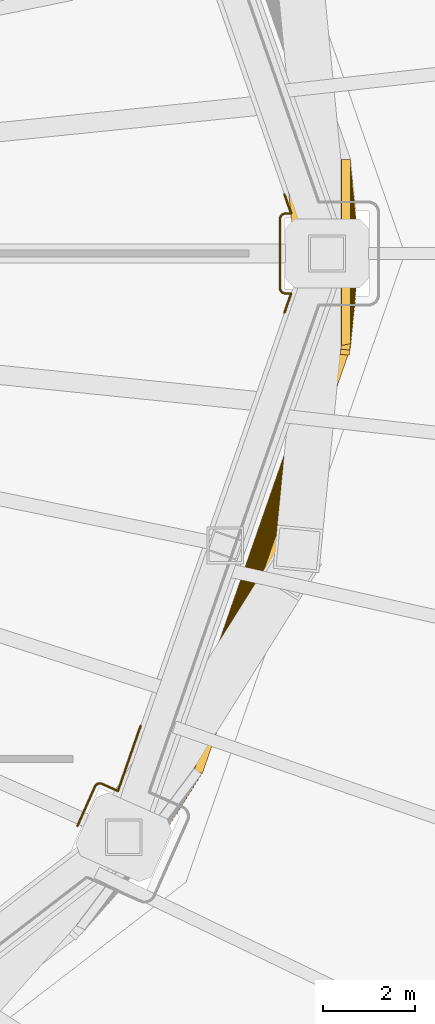
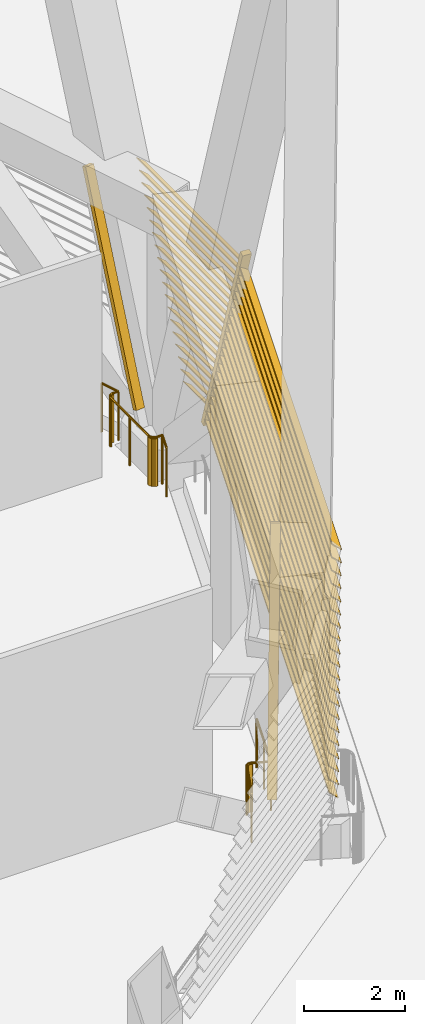
# One storey, part 24 of 27: 2 railings, 2 shading devices.
"""IFC4 building model written with IfcOpenShell, lengths in metres."""

from ifc_helpers import new_model, si_unit, direction, frame, origin, origin_2d, place, context, subcontext, project, spatial, rectangle, circle, extrude, material, type_object, element, save


model = new_model("IFC4")

# Units and contexts
model_context = context("Model", 3, precision=1e-05, world=origin(), true_north=direction((0.0, 1.0)))
body_context = subcontext(model_context, "Body", "Model", "MODEL_VIEW")
ifc_project = project(units=[si_unit("LENGTHUNIT", "METRE"), si_unit("AREAUNIT", "SQUARE_METRE"), si_unit("VOLUMEUNIT", "CUBIC_METRE"), si_unit("PLANEANGLEUNIT", "RADIAN"), si_unit("MASSUNIT", "GRAM", prefix="KILO")], contexts=[model_context])

# Site, building, storey
site_placement = place(None, origin())
site = spatial("IfcSite", under=ifc_project, at=site_placement, CompositionType="ELEMENT")
building_placement = place(site_placement, origin())
building = spatial("IfcBuilding", under=site, at=building_placement, Name="Sahrelin Media Tower", CompositionType="ELEMENT")
storey_placement = place(building_placement, frame((0.0, 0.0, 44.0)))
storey = spatial("IfcBuildingStorey", under=building, at=storey_placement, Name="L06", CompositionType="ELEMENT", Elevation=44.0)

# Railings
ifc_material_1 = material(Name="Stainless steel 316", Category="steel")
railing_type = type_object("IfcRailingType", Name="Maintenance platform guard", PredefinedType="GUARDRAIL", material=ifc_material_1)
railing_1_placement = place(storey_placement, frame((32.07568359375, 1.2861328125, 0.0)))
element("IfcRailing", 1, at=railing_1_placement, inside=storey, type_object=railing_type, Name="Plant level edge guard 1", PredefinedType="GUARDRAIL", context=body_context, shape_type="SweptSolid", body=[
    extrude(circle(Radius=0.02392578125, at=origin_2d()), frame((0.0, 0.0, 1.17578125), z_axis=(0.329165343973, -0.944272299883, 0.0), x_axis=(0.944272299883, 0.329165343973, 0.0)), (0.0, 0.0, 1.0), 0.440673828125),
    extrude(circle(Radius=0.02392578125, at=origin_2d()), frame((0.14501953125, -0.416015625, 1.17578125), z_axis=(-1.0, 0.0, 0.0), x_axis=(0.0, -1.0, 0.0)), (0.0, 0.0, 1.0), 0.123291015625),
    extrude(circle(Radius=0.02392578125, at=origin_2d()), frame((0.021728515625, -0.416015625, 1.17578125), z_axis=(-0.997199309888, -0.074789948242, 0.0), x_axis=(0.074789948242, -0.997199309888, 0.0)), (0.0, 0.0, 1.0), 0.009765625),
    extrude(circle(Radius=0.02392578125, at=origin_2d()), frame((0.011962890625, -0.416748046875, 1.17578125), z_axis=(-0.990341746674, -0.138647844534, 0.0), x_axis=(0.138647844534, -0.990341746674, 0.0)), (0.0, 0.0, 1.0), 0.01220703125),
    extrude(circle(Radius=0.02392578125, at=origin_2d()), frame((-0.000244140625, -0.41845703125, 1.17578125), z_axis=(-0.965363393028, -0.260909025143, 0.0), x_axis=(0.260909025143, -0.965363393028, 0.0)), (0.0, 0.0, 1.0), 0.00927734375),
    extrude(circle(Radius=0.02392578125, at=origin_2d()), frame((-0.00927734375, -0.4208984375, 1.17578125), z_axis=(-0.952215316532, -0.305427554359, 0.0), x_axis=(0.305427554359, -0.952215316532, 0.0)), (0.0, 0.0, 1.0), 0.013671875),
    extrude(circle(Radius=0.02392578125, at=origin_2d()), frame((-0.022216796875, -0.425048828125, 1.17578125), z_axis=(-0.886914084167, -0.461934418837, 0.0), x_axis=(0.461934418837, -0.886914084167, 0.0)), (0.0, 0.0, 1.0), 0.01318359375),
    extrude(circle(Radius=0.02392578125, at=origin_2d()), frame((-0.033935546875, -0.43115234375, 1.17578125), z_axis=(-0.860291533634, -0.509802390302, 0.0), x_axis=(0.509802390302, -0.860291533634, 0.0)), (0.0, 0.0, 1.0), 0.007568359375),
    extrude(circle(Radius=0.02392578125, at=origin_2d()), frame((-0.04052734375, -0.43505859375, 1.17578125), z_axis=(-0.821588113591, -0.570081548206, 0.0), x_axis=(0.570081548206, -0.821588113591, 0.0)), (0.0, 0.0, 1.0), 0.0146484375),
    extrude(circle(Radius=0.02392578125, at=origin_2d()), frame((-0.052490234375, -0.443359375, 1.17578125), z_axis=(-0.707106781187, -0.707106781187, 0.0), x_axis=(0.707106781187, -0.707106781187, 0.0)), (0.0, 0.0, 1.0), 0.011474609375),
    extrude(circle(Radius=0.02392578125, at=origin_2d()), frame((-0.060546875, -0.451416015625, 1.17578125), z_axis=(-0.707106781187, -0.707106781187, 0.0), x_axis=(0.707106781187, -0.707106781187, 0.0)), (0.0, 0.0, 1.0), 0.010986328125),
    extrude(circle(Radius=0.02392578125, at=origin_2d()), frame((-0.068359375, -0.459228515625, 1.17578125), z_axis=(-0.562310021407, -0.82692650207, 0.0), x_axis=(0.82692650207, -0.562310021407, 0.0)), (0.0, 0.0, 1.0), 0.0146484375),
    extrude(circle(Radius=0.02392578125, at=origin_2d()), frame((-0.07666015625, -0.471435546875, 1.17578125), z_axis=(-0.509802390302, -0.860291533634, 0.0), x_axis=(0.860291533634, -0.509802390302, 0.0)), (0.0, 0.0, 1.0), 0.007568359375),
    extrude(circle(Radius=0.02392578125, at=origin_2d()), frame((-0.08056640625, -0.47802734375, 1.17578125), z_axis=(-0.461934418837, -0.886914084167, 0.0), x_axis=(0.886914084167, -0.461934418837, 0.0)), (0.0, 0.0, 1.0), 0.01318359375),
    extrude(circle(Radius=0.02392578125, at=origin_2d()), frame((-0.086669921875, -0.48974609375, 1.17578125), z_axis=(-0.310738856307, -0.950495325176, 0.0), x_axis=(0.950495325176, -0.310738856307, 0.0)), (0.0, 0.0, 1.0), 0.013427734375),
    extrude(circle(Radius=0.02392578125, at=origin_2d()), frame((-0.0908203125, -0.50244140625, 1.17578125), z_axis=(-0.25449329928, -0.967074537263, 0.0), x_axis=(0.967074537263, -0.25449329928, 0.0)), (0.0, 0.0, 1.0), 0.009521484375),
    extrude(circle(Radius=0.02392578125, at=origin_2d()), frame((-0.09326171875, -0.51171875, 1.17578125), z_axis=(-0.157990501107, -0.987440631917, 0.0), x_axis=(0.987440631917, -0.157990501107, 0.0)), (0.0, 0.0, 1.0), 0.012451171875),
    extrude(circle(Radius=0.02392578125, at=origin_2d()), frame((-0.09521484375, -0.52392578125, 1.17578125), z_axis=(-0.049937616944, -0.998752338878, 0.0), x_axis=(0.998752338878, -0.049937616944, 0.0)), (0.0, 0.0, 1.0), 0.009765625),
    extrude(circle(Radius=0.02392578125, at=origin_2d()), frame((-0.095703125, -0.53369140625, 1.17578125), z_axis=(0.0, -1.0, 0.0), x_axis=(1.0, 0.0, 0.0)), (0.0, 0.0, 1.0), 1.5048828125),
    extrude(circle(Radius=0.02392578125, at=origin_2d()), frame((-0.095703125, -2.03857421875, 1.17578125), z_axis=(0.049937616944, -0.998752338878, 0.0), x_axis=(0.998752338878, 0.049937616944, 0.0)), (0.0, 0.0, 1.0), 0.009765625),
    extrude(circle(Radius=0.02392578125, at=origin_2d()), frame((-0.09521484375, -2.04833984375, 1.17578125), z_axis=(0.157990501107, -0.987440631917, 0.0), x_axis=(0.987440631917, 0.157990501107, 0.0)), (0.0, 0.0, 1.0), 0.012451171875),
    extrude(circle(Radius=0.02392578125, at=origin_2d()), frame((-0.09326171875, -2.060546875, 1.17578125), z_axis=(0.25449329928, -0.967074537263, 0.0), x_axis=(0.967074537263, 0.25449329928, 0.0)), (0.0, 0.0, 1.0), 0.009521484375),
    extrude(circle(Radius=0.02392578125, at=origin_2d()), frame((-0.0908203125, -2.06982421875, 1.17578125), z_axis=(0.310738856307, -0.950495325176, 0.0), x_axis=(0.950495325176, 0.310738856307, 0.0)), (0.0, 0.0, 1.0), 0.013427734375),
    extrude(circle(Radius=0.02392578125, at=origin_2d()), frame((-0.086669921875, -2.08251953125, 1.17578125), z_axis=(0.461934418837, -0.886914084167, 0.0), x_axis=(0.886914084167, 0.461934418837, 0.0)), (0.0, 0.0, 1.0), 0.01318359375),
    extrude(circle(Radius=0.02392578125, at=origin_2d()), frame((-0.08056640625, -2.09423828125, 1.17578125), z_axis=(0.509802390302, -0.860291533634, 0.0), x_axis=(0.860291533634, 0.509802390302, 0.0)), (0.0, 0.0, 1.0), 0.007568359375),
    extrude(circle(Radius=0.02392578125, at=origin_2d()), frame((-0.07666015625, -2.100830078125, 1.17578125), z_axis=(0.562310021407, -0.82692650207, 0.0), x_axis=(0.82692650207, 0.562310021407, 0.0)), (0.0, 0.0, 1.0), 0.0146484375),
    extrude(circle(Radius=0.02392578125, at=origin_2d()), frame((-0.068359375, -2.113037109375, 1.17578125), z_axis=(0.707106781187, -0.707106781187, 0.0), x_axis=(0.707106781187, 0.707106781187, 0.0)), (0.0, 0.0, 1.0), 0.010986328125),
    extrude(circle(Radius=0.02392578125, at=origin_2d()), frame((-0.060546875, -2.120849609375, 1.17578125), z_axis=(0.707106781187, -0.707106781187, 0.0), x_axis=(0.707106781187, 0.707106781187, 0.0)), (0.0, 0.0, 1.0), 0.011474609375),
    extrude(circle(Radius=0.02392578125, at=origin_2d()), frame((-0.052490234375, -2.12890625, 1.17578125), z_axis=(0.821588113591, -0.570081548206, 0.0), x_axis=(0.570081548206, 0.821588113591, 0.0)), (0.0, 0.0, 1.0), 0.0146484375),
    extrude(circle(Radius=0.02392578125, at=origin_2d()), frame((-0.04052734375, -2.13720703125, 1.17578125), z_axis=(0.860291533634, -0.509802390302, 0.0), x_axis=(0.509802390302, 0.860291533634, 0.0)), (0.0, 0.0, 1.0), 0.007568359375),
    extrude(circle(Radius=0.02392578125, at=origin_2d()), frame((-0.033935546875, -2.14111328125, 1.17578125), z_axis=(0.886914084167, -0.461934418837, 0.0), x_axis=(0.461934418837, 0.886914084167, 0.0)), (0.0, 0.0, 1.0), 0.01318359375),
    extrude(circle(Radius=0.02392578125, at=origin_2d()), frame((-0.022216796875, -2.147216796875, 1.17578125), z_axis=(0.952215316532, -0.305427554359, 0.0), x_axis=(0.305427554359, 0.952215316532, 0.0)), (0.0, 0.0, 1.0), 0.013671875),
    extrude(circle(Radius=0.02392578125, at=origin_2d()), frame((-0.00927734375, -2.1513671875, 1.17578125), z_axis=(0.965363393028, -0.260909025143, 0.0), x_axis=(0.260909025143, 0.965363393028, 0.0)), (0.0, 0.0, 1.0), 0.00927734375),
    extrude(circle(Radius=0.02392578125, at=origin_2d()), frame((-0.000244140625, -2.15380859375, 1.17578125), z_axis=(0.990341746674, -0.138647844534, 0.0), x_axis=(0.138647844534, 0.990341746674, 0.0)), (0.0, 0.0, 1.0), 0.01220703125),
    extrude(circle(Radius=0.02392578125, at=origin_2d()), frame((0.011962890625, -2.155517578125, 1.17578125), z_axis=(0.997199309888, -0.074789948242, 0.0), x_axis=(0.074789948242, 0.997199309888, 0.0)), (0.0, 0.0, 1.0), 0.009765625),
    extrude(circle(Radius=0.02392578125, at=origin_2d()), frame((0.021728515625, -2.15625, 1.17578125), z_axis=(1.0, 0.0, 0.0), x_axis=(0.0, 1.0, 0.0)), (0.0, 0.0, 1.0), 0.123291015625),
    extrude(circle(Radius=0.02392578125, at=origin_2d()), frame((0.14501953125, -2.15625, 1.17578125), z_axis=(-0.329165343973, -0.944272299883, 0.0), x_axis=(0.944272299883, -0.329165343973, 0.0)), (0.0, 0.0, 1.0), 0.440673828125),
    extrude(circle(Radius=0.02099609375, at=origin_2d()), origin(), (0.0, 0.0, 1.0), 1.15185546875),
    extrude(circle(Radius=0.02099609375, at=origin_2d()), frame((0.14501953125, -0.416015625, 0.0)), (0.0, 0.0, 1.0), 1.15185546875),
    extrude(circle(Radius=0.02099609375, at=origin_2d()), frame((0.021728515625, -0.416015625, 0.0)), (0.0, 0.0, 1.0), 1.15185546875),
    extrude(circle(Radius=0.02099609375, at=origin_2d()), frame((0.011962890625, -0.416748046875, 0.0)), (0.0, 0.0, 1.0), 1.15185546875),
    extrude(circle(Radius=0.02099609375, at=origin_2d()), frame((-0.000244140625, -0.41845703125, 0.0)), (0.0, 0.0, 1.0), 1.15185546875),
    extrude(circle(Radius=0.02099609375, at=origin_2d()), frame((-0.00927734375, -0.4208984375, 0.0)), (0.0, 0.0, 1.0), 1.15185546875),
    extrude(circle(Radius=0.02099609375, at=origin_2d()), frame((-0.022216796875, -0.425048828125, 0.0)), (0.0, 0.0, 1.0), 1.15185546875),
    extrude(circle(Radius=0.02099609375, at=origin_2d()), frame((-0.033935546875, -0.43115234375, 0.0)), (0.0, 0.0, 1.0), 1.15185546875),
    extrude(circle(Radius=0.02099609375, at=origin_2d()), frame((-0.04052734375, -0.43505859375, 0.0)), (0.0, 0.0, 1.0), 1.15185546875),
    extrude(circle(Radius=0.02099609375, at=origin_2d()), frame((-0.052490234375, -0.443359375, 0.0)), (0.0, 0.0, 1.0), 1.15185546875),
    extrude(circle(Radius=0.02099609375, at=origin_2d()), frame((-0.060546875, -0.451416015625, 0.0)), (0.0, 0.0, 1.0), 1.15185546875),
    extrude(circle(Radius=0.02099609375, at=origin_2d()), frame((-0.068359375, -0.459228515625, 0.0)), (0.0, 0.0, 1.0), 1.15185546875),
    extrude(circle(Radius=0.02099609375, at=origin_2d()), frame((-0.07666015625, -0.471435546875, 0.0)), (0.0, 0.0, 1.0), 1.15185546875),
    extrude(circle(Radius=0.02099609375, at=origin_2d()), frame((-0.08056640625, -0.47802734375, 0.0)), (0.0, 0.0, 1.0), 1.15185546875),
    extrude(circle(Radius=0.02099609375, at=origin_2d()), frame((-0.086669921875, -0.48974609375, 0.0)), (0.0, 0.0, 1.0), 1.15185546875),
    extrude(circle(Radius=0.02099609375, at=origin_2d()), frame((-0.0908203125, -0.50244140625, 0.0)), (0.0, 0.0, 1.0), 1.15185546875),
    extrude(circle(Radius=0.02099609375, at=origin_2d()), frame((-0.09326171875, -0.51171875, 0.0)), (0.0, 0.0, 1.0), 1.15185546875),
    extrude(circle(Radius=0.02099609375, at=origin_2d()), frame((-0.09521484375, -0.52392578125, 0.0)), (0.0, 0.0, 1.0), 1.15185546875),
    extrude(circle(Radius=0.02099609375, at=origin_2d()), frame((-0.095703125, -0.53369140625, 0.0)), (0.0, 0.0, 1.0), 1.15185546875),
    extrude(circle(Radius=0.02099609375, at=origin_2d()), frame((-0.095703125, -1.2861328125, 0.0)), (0.0, 0.0, 1.0), 1.15185546875),
    extrude(circle(Radius=0.02099609375, at=origin_2d()), frame((-0.095703125, -2.03857421875, 0.0)), (0.0, 0.0, 1.0), 1.15185546875),
    extrude(circle(Radius=0.02099609375, at=origin_2d()), frame((-0.09521484375, -2.04833984375, 0.0)), (0.0, 0.0, 1.0), 1.15185546875),
    extrude(circle(Radius=0.02099609375, at=origin_2d()), frame((-0.09326171875, -2.060546875, 0.0)), (0.0, 0.0, 1.0), 1.15185546875),
    extrude(circle(Radius=0.02099609375, at=origin_2d()), frame((-0.0908203125, -2.06982421875, 0.0)), (0.0, 0.0, 1.0), 1.15185546875),
    extrude(circle(Radius=0.02099609375, at=origin_2d()), frame((-0.086669921875, -2.08251953125, 0.0)), (0.0, 0.0, 1.0), 1.15185546875),
    extrude(circle(Radius=0.02099609375, at=origin_2d()), frame((-0.08056640625, -2.09423828125, 0.0)), (0.0, 0.0, 1.0), 1.15185546875),
    extrude(circle(Radius=0.02099609375, at=origin_2d()), frame((-0.07666015625, -2.100830078125, 0.0)), (0.0, 0.0, 1.0), 1.15185546875),
    extrude(circle(Radius=0.02099609375, at=origin_2d()), frame((-0.068359375, -2.113037109375, 0.0)), (0.0, 0.0, 1.0), 1.15185546875),
    extrude(circle(Radius=0.02099609375, at=origin_2d()), frame((-0.060546875, -2.120849609375, 0.0)), (0.0, 0.0, 1.0), 1.15185546875),
    extrude(circle(Radius=0.02099609375, at=origin_2d()), frame((-0.052490234375, -2.12890625, 0.0)), (0.0, 0.0, 1.0), 1.15185546875),
    extrude(circle(Radius=0.02099609375, at=origin_2d()), frame((-0.04052734375, -2.13720703125, 0.0)), (0.0, 0.0, 1.0), 1.15185546875),
    extrude(circle(Radius=0.02099609375, at=origin_2d()), frame((-0.033935546875, -2.14111328125, 0.0)), (0.0, 0.0, 1.0), 1.15185546875),
    extrude(circle(Radius=0.02099609375, at=origin_2d()), frame((-0.022216796875, -2.147216796875, 0.0)), (0.0, 0.0, 1.0), 1.15185546875),
    extrude(circle(Radius=0.02099609375, at=origin_2d()), frame((-0.00927734375, -2.1513671875, 0.0)), (0.0, 0.0, 1.0), 1.15185546875),
    extrude(circle(Radius=0.02099609375, at=origin_2d()), frame((-0.000244140625, -2.15380859375, 0.0)), (0.0, 0.0, 1.0), 1.15185546875),
    extrude(circle(Radius=0.02099609375, at=origin_2d()), frame((0.011962890625, -2.155517578125, 0.0)), (0.0, 0.0, 1.0), 1.15185546875),
    extrude(circle(Radius=0.02099609375, at=origin_2d()), frame((0.021728515625, -2.15625, 0.0)), (0.0, 0.0, 1.0), 1.15185546875),
    extrude(circle(Radius=0.02099609375, at=origin_2d()), frame((0.14501953125, -2.15625, 0.0)), (0.0, 0.0, 1.0), 1.15185546875),
    extrude(circle(Radius=0.02099609375, at=origin_2d()), frame((0.0, -2.572265625, 0.0)), (0.0, 0.0, 1.0), 1.15185546875),
])
railing_2_placement = place(storey_placement, frame((28.9462890625, -10.275634765625, 0.0)))
element("IfcRailing", 2, at=railing_2_placement, inside=storey, type_object=railing_type, Name="Plant level edge guard 12", PredefinedType="GUARDRAIL", context=body_context, shape_type="SweptSolid", body=[
    extrude(circle(Radius=0.02392578125, at=origin_2d()), frame((0.0, 0.0, 1.17578125), z_axis=(-0.328798392756, -0.944400136024, 0.0), x_axis=(0.944400136024, -0.328798392756, 0.0)), (0.0, 0.0, 1.0), 1.5),
    extrude(circle(Radius=0.02392578125, at=origin_2d()), frame((-0.4931640625, -1.41650390625, 1.17578125), z_axis=(-0.913891374695, 0.405958809805, 0.0), x_axis=(-0.405958809805, -0.913891374695, 0.0)), (0.0, 0.0, 1.0), 0.378173828125),
    extrude(circle(Radius=0.02392578125, at=origin_2d()), frame((-0.8388671875, -1.262939453125, 1.17578125), z_axis=(-0.934997526318, 0.354654234121, 0.0), x_axis=(-0.354654234121, -0.934997526318, 0.0)), (0.0, 0.0, 1.0), 0.007568359375),
    extrude(circle(Radius=0.02392578125, at=origin_2d()), frame((-0.845947265625, -1.26025390625, 1.17578125), z_axis=(-0.950605456491, 0.310401781711, 0.0), x_axis=(-0.310401781711, -0.950605456491, 0.0)), (0.0, 0.0, 1.0), 0.0126953125),
    extrude(circle(Radius=0.02392578125, at=origin_2d()), frame((-0.85791015625, -1.25634765625, 1.17578125), z_axis=(-0.987440631917, 0.157990501107, 0.0), x_axis=(-0.157990501107, -0.987440631917, 0.0)), (0.0, 0.0, 1.0), 0.012451171875),
    extrude(circle(Radius=0.02392578125, at=origin_2d()), frame((-0.8701171875, -1.25439453125, 1.17578125), z_axis=(-0.99522852512, 0.097571424031, 0.0), x_axis=(-0.097571424031, -0.99522852512, 0.0)), (0.0, 0.0, 1.0), 0.012451171875),
    extrude(circle(Radius=0.02392578125, at=origin_2d()), frame((-0.882568359375, -1.253173828125, 1.17578125), z_axis=(-0.998052578483, -0.062378286155, 0.0), x_axis=(0.062378286155, -0.998052578483, 0.0)), (0.0, 0.0, 1.0), 0.01171875),
    extrude(circle(Radius=0.02392578125, at=origin_2d()), frame((-0.894287109375, -1.25390625, 1.17578125), z_axis=(-0.99503719021, -0.099503719021, 0.0), x_axis=(0.099503719021, -0.99503719021, 0.0)), (0.0, 0.0, 1.0), 0.01220703125),
    extrude(circle(Radius=0.02392578125, at=origin_2d()), frame((-0.906494140625, -1.255126953125, 1.17578125), z_axis=(-0.971297311632, -0.237868729379, 0.0), x_axis=(0.237868729379, -0.971297311632, 0.0)), (0.0, 0.0, 1.0), 0.01220703125),
    extrude(circle(Radius=0.02392578125, at=origin_2d()), frame((-0.91845703125, -1.258056640625, 1.17578125), z_axis=(-0.948683298051, -0.316227766017, 0.0), x_axis=(0.316227766017, -0.948683298051, 0.0)), (0.0, 0.0, 1.0), 0.010009765625),
    extrude(circle(Radius=0.02392578125, at=origin_2d()), frame((-0.927978515625, -1.26123046875, 1.17578125), z_axis=(-0.919145030018, -0.393919298579, 0.0), x_axis=(0.393919298579, -0.919145030018, 0.0)), (0.0, 0.0, 1.0), 0.01123046875),
    extrude(circle(Radius=0.02392578125, at=origin_2d()), frame((-0.938232421875, -1.265625, 1.17578125), z_axis=(-0.875034042418, -0.484061385167, 0.0), x_axis=(0.484061385167, -0.875034042418, 0.0)), (0.0, 0.0, 1.0), 0.01318359375),
    extrude(circle(Radius=0.02392578125, at=origin_2d()), frame((-0.94970703125, -1.27197265625, 1.17578125), z_axis=(-0.815180408266, -0.579207132189, 0.0), x_axis=(0.579207132189, -0.815180408266, 0.0)), (0.0, 0.0, 1.0), 0.011474609375),
    extrude(circle(Radius=0.02392578125, at=origin_2d()), frame((-0.958984375, -1.278564453125, 1.17578125), z_axis=(-0.77137327854, -0.636382954796, 0.0), x_axis=(0.636382954796, -0.77137327854, 0.0)), (0.0, 0.0, 1.0), 0.0126953125),
    extrude(circle(Radius=0.02392578125, at=origin_2d()), frame((-0.96875, -1.28662109375, 1.17578125), z_axis=(-0.658504607869, -0.752576694707, 0.0), x_axis=(0.752576694707, -0.658504607869, 0.0)), (0.0, 0.0, 1.0), 0.012939453125),
    extrude(circle(Radius=0.02392578125, at=origin_2d()), frame((-0.977294921875, -1.29638671875, 1.17578125), z_axis=(-0.621394711002, -0.78349767909, 0.0), x_axis=(0.78349767909, -0.621394711002, 0.0)), (0.0, 0.0, 1.0), 0.009033203125),
    extrude(circle(Radius=0.02392578125, at=origin_2d()), frame((-0.98291015625, -1.303466796875, 1.17578125), z_axis=(-0.53966611472, -0.841879138964, 0.0), x_axis=(0.841879138964, -0.53966611472, 0.0)), (0.0, 0.0, 1.0), 0.01123046875),
    extrude(circle(Radius=0.02392578125, at=origin_2d()), frame((-0.989013671875, -1.31298828125, 1.17578125), z_axis=(-0.466758619558, -0.884384752847, 0.0), x_axis=(0.884384752847, -0.466758619558, 0.0)), (0.0, 0.0, 1.0), 0.010009765625),
    extrude(circle(Radius=0.02392578125, at=origin_2d()), frame((-0.99365234375, -1.32177734375, 1.17578125), z_axis=(-0.406283261409, -0.91374718139, 0.0), x_axis=(0.91374718139, -0.406283261409, 0.0)), (0.0, 0.0, 1.0), 0.938720703125),
    extrude(circle(Radius=0.02099609375, at=origin_2d()), origin(), (0.0, 0.0, 1.0), 1.15185546875),
    extrude(circle(Radius=0.02099609375, at=origin_2d()), frame((-0.24658203125, -0.708251953125, 0.0)), (0.0, 0.0, 1.0), 1.15185546875),
    extrude(circle(Radius=0.02099609375, at=origin_2d()), frame((-0.4931640625, -1.41650390625, 0.0)), (0.0, 0.0, 1.0), 1.15185546875),
    extrude(circle(Radius=0.02099609375, at=origin_2d()), frame((-0.8388671875, -1.262939453125, 0.0)), (0.0, 0.0, 1.0), 1.15185546875),
    extrude(circle(Radius=0.02099609375, at=origin_2d()), frame((-0.845947265625, -1.26025390625, 0.0)), (0.0, 0.0, 1.0), 1.15185546875),
    extrude(circle(Radius=0.02099609375, at=origin_2d()), frame((-0.85791015625, -1.25634765625, 0.0)), (0.0, 0.0, 1.0), 1.15185546875),
    extrude(circle(Radius=0.02099609375, at=origin_2d()), frame((-0.8701171875, -1.25439453125, 0.0)), (0.0, 0.0, 1.0), 1.15185546875),
    extrude(circle(Radius=0.02099609375, at=origin_2d()), frame((-0.882568359375, -1.253173828125, 0.0)), (0.0, 0.0, 1.0), 1.15185546875),
    extrude(circle(Radius=0.02099609375, at=origin_2d()), frame((-0.894287109375, -1.25390625, 0.0)), (0.0, 0.0, 1.0), 1.15185546875),
    extrude(circle(Radius=0.02099609375, at=origin_2d()), frame((-0.906494140625, -1.255126953125, 0.0)), (0.0, 0.0, 1.0), 1.15185546875),
    extrude(circle(Radius=0.02099609375, at=origin_2d()), frame((-0.91845703125, -1.258056640625, 0.0)), (0.0, 0.0, 1.0), 1.15185546875),
    extrude(circle(Radius=0.02099609375, at=origin_2d()), frame((-0.927978515625, -1.26123046875, 0.0)), (0.0, 0.0, 1.0), 1.15185546875),
    extrude(circle(Radius=0.02099609375, at=origin_2d()), frame((-0.938232421875, -1.265625, 0.0)), (0.0, 0.0, 1.0), 1.15185546875),
    extrude(circle(Radius=0.02099609375, at=origin_2d()), frame((-0.94970703125, -1.27197265625, 0.0)), (0.0, 0.0, 1.0), 1.15185546875),
    extrude(circle(Radius=0.02099609375, at=origin_2d()), frame((-0.958984375, -1.278564453125, 0.0)), (0.0, 0.0, 1.0), 1.15185546875),
    extrude(circle(Radius=0.02099609375, at=origin_2d()), frame((-0.96875, -1.28662109375, 0.0)), (0.0, 0.0, 1.0), 1.15185546875),
    extrude(circle(Radius=0.02099609375, at=origin_2d()), frame((-0.977294921875, -1.29638671875, 0.0)), (0.0, 0.0, 1.0), 1.15185546875),
    extrude(circle(Radius=0.02099609375, at=origin_2d()), frame((-0.98291015625, -1.303466796875, 0.0)), (0.0, 0.0, 1.0), 1.15185546875),
    extrude(circle(Radius=0.02099609375, at=origin_2d()), frame((-0.989013671875, -1.31298828125, 0.0)), (0.0, 0.0, 1.0), 1.15185546875),
    extrude(circle(Radius=0.02099609375, at=origin_2d()), frame((-0.99365234375, -1.32177734375, 0.0)), (0.0, 0.0, 1.0), 1.15185546875),
    extrude(circle(Radius=0.02099609375, at=origin_2d()), frame((-1.375, -2.179443359375, 0.0)), (0.0, 0.0, 1.0), 1.15185546875),
])

# Shading devices
ifc_material_2 = material(Name="Champagne anodised aluminium 6063-T6", Category="aluminium")
shading_device_type = type_object("IfcShadingDeviceType", Name="Sand-rejection louvre band", PredefinedType="USERDEFINED", material=ifc_material_2)
shading_device_1_placement = place(storey_placement, frame((33.0, 0.0, 0.0), z_axis=(0.0, 0.0, 1.0), x_axis=(0.0, -1.0, 0.0)))
element("IfcShadingDevice", 3, at=shading_device_1_placement, inside=storey, type_object=shading_device_type, Name="L06:LOUVRE:L06-00", ObjectType="LOUVRE", PredefinedType="USERDEFINED", context=body_context, shape_type="SweptSolid", body=[
    extrude(rectangle(XDim=0.199951171875, YDim=0.1201171875, at=origin_2d()), frame((0.427001953125, 0.561279296875, 1.050048828125), z_axis=(0.331165646948, -0.032336356103, 0.943018384951), x_axis=(0.097181868891, 0.99526663983, 0.0)), (0.0, 0.0, 1.0), 5.1943359375),
    extrude(rectangle(XDim=0.199951171875, YDim=0.1201171875, at=origin_2d()), frame((-0.310302734375, -0.633056640625, 1.050048828125), z_axis=(-0.331166149897, -0.032289404624, 0.943019817136), x_axis=(0.09704194733, -0.995280292409, 0.0)), (0.0, 0.0, 1.0), 5.1943359375),
    extrude(rectangle(XDim=0.25, YDim=0.02001953125, at=origin_2d()), frame((0.46240234375, 0.560546875, 1.14990234375), z_axis=(-1.0, 0.0, 0.0), x_axis=(0.0, -0.766044443119, 0.642787609687)), (0.0, 0.0, 1.0), 0.9248046875),
    extrude(rectangle(XDim=0.25, YDim=0.02001953125, at=origin_2d()), frame((0.550048828125, 0.552001953125, 1.39990234375), z_axis=(-1.0, 0.0, 0.0), x_axis=(0.0, -0.766044443119, 0.642787609687)), (0.0, 0.0, 1.0), 1.10009765625),
    extrude(rectangle(XDim=0.25, YDim=0.02001953125, at=origin_2d()), frame((0.637939453125, 0.54345703125, 1.64990234375), z_axis=(-1.0, 0.0, 0.0), x_axis=(0.0, -0.766044443119, 0.642787609687)), (0.0, 0.0, 1.0), 1.27587890625),
    extrude(rectangle(XDim=0.25, YDim=0.02001953125, at=origin_2d()), frame((0.7255859375, 0.534912109375, 1.89990234375), z_axis=(-1.0, 0.0, 0.0), x_axis=(0.0, -0.766044443119, 0.642787609687)), (0.0, 0.0, 1.0), 1.451171875),
    extrude(rectangle(XDim=0.25, YDim=0.02001953125, at=origin_2d()), frame((0.8134765625, 0.5263671875, 2.14990234375), z_axis=(-1.0, 0.0, 0.0), x_axis=(0.0, -0.766044443119, 0.642787609687)), (0.0, 0.0, 1.0), 1.626953125),
    extrude(rectangle(XDim=0.25, YDim=0.02001953125, at=origin_2d()), frame((0.9013671875, 0.517822265625, 2.39990234375), z_axis=(-1.0, 0.0, 0.0), x_axis=(0.0, -0.766044443119, 0.642787609687)), (0.0, 0.0, 1.0), 1.802734375),
    extrude(rectangle(XDim=0.25, YDim=0.02001953125, at=origin_2d()), frame((0.989013671875, 0.50927734375, 2.64990234375), z_axis=(-1.0, 0.0, 0.0), x_axis=(0.0, -0.766044443119, 0.642787609687)), (0.0, 0.0, 1.0), 1.97802734375),
    extrude(rectangle(XDim=0.25, YDim=0.02001953125, at=origin_2d()), frame((1.076904296875, 0.500732421875, 2.89990234375), z_axis=(-1.0, 0.0, 0.0), x_axis=(0.0, -0.766044443119, 0.642787609687)), (0.0, 0.0, 1.0), 2.15380859375),
    extrude(rectangle(XDim=0.25, YDim=0.02001953125, at=origin_2d()), frame((1.16455078125, 0.4921875, 3.14990234375), z_axis=(-1.0, 0.0, 0.0), x_axis=(0.0, -0.766044443119, 0.642787609687)), (0.0, 0.0, 1.0), 2.3291015625),
    extrude(rectangle(XDim=0.25, YDim=0.02001953125, at=origin_2d()), frame((1.25244140625, 0.483642578125, 3.39990234375), z_axis=(-1.0, 0.0, 0.0), x_axis=(0.0, -0.766044443119, 0.642787609687)), (0.0, 0.0, 1.0), 2.5048828125),
    extrude(rectangle(XDim=0.25, YDim=0.02001953125, at=origin_2d()), frame((1.340087890625, 0.47509765625, 3.64990234375), z_axis=(-1.0, 0.0, 0.0), x_axis=(0.0, -0.766044443119, 0.642787609687)), (0.0, 0.0, 1.0), 2.68017578125),
    extrude(rectangle(XDim=0.25, YDim=0.02001953125, at=origin_2d()), frame((1.427978515625, 0.46630859375, 3.89990234375), z_axis=(-1.0, 0.0, 0.0), x_axis=(0.0, -0.766044443119, 0.642787609687)), (0.0, 0.0, 1.0), 2.85595703125),
    extrude(rectangle(XDim=0.25, YDim=0.02001953125, at=origin_2d()), frame((1.515869140625, 0.4580078125, 4.14990234375), z_axis=(-1.0, 0.0, 0.0), x_axis=(0.0, -0.766044443119, 0.642787609687)), (0.0, 0.0, 1.0), 3.03173828125),
    extrude(rectangle(XDim=0.25, YDim=0.02001953125, at=origin_2d()), frame((1.603515625, 0.44921875, 4.39990234375), z_axis=(-1.0, 0.0, 0.0), x_axis=(0.0, -0.766044443119, 0.642787609687)), (0.0, 0.0, 1.0), 3.20703125),
    extrude(rectangle(XDim=0.25, YDim=0.02001953125, at=origin_2d()), frame((1.69140625, 0.440673828125, 4.64990234375), z_axis=(-1.0, 0.0, 0.0), x_axis=(0.0, -0.766044443119, 0.642787609687)), (0.0, 0.0, 1.0), 3.3828125),
    extrude(rectangle(XDim=0.25, YDim=0.02001953125, at=origin_2d()), frame((1.779052734375, 0.43212890625, 4.89990234375), z_axis=(-1.0, 0.0, 0.0), x_axis=(0.0, -0.766044443119, 0.642787609687)), (0.0, 0.0, 1.0), 3.55810546875),
    extrude(rectangle(XDim=0.25, YDim=0.02001953125, at=origin_2d()), frame((1.866943359375, 0.423583984375, 5.14990234375), z_axis=(-1.0, 0.0, 0.0), x_axis=(0.0, -0.766044443119, 0.642787609687)), (0.0, 0.0, 1.0), 3.73388671875),
    extrude(rectangle(XDim=0.25, YDim=0.02001953125, at=origin_2d()), frame((1.95458984375, 0.4150390625, 5.39990234375), z_axis=(-1.0, 0.0, 0.0), x_axis=(0.0, -0.766044443119, 0.642787609687)), (0.0, 0.0, 1.0), 3.9091796875),
    extrude(rectangle(XDim=0.25, YDim=0.02001953125, at=origin_2d()), frame((2.04248046875, 0.406494140625, 5.64990234375), z_axis=(-1.0, 0.0, 0.0), x_axis=(0.0, -0.766044443119, 0.642787609687)), (0.0, 0.0, 1.0), 4.0849609375),
])
shading_device_2_placement = place(storey_placement, frame((30.802734375, -6.3115234375, 0.0), z_axis=(0.0, 0.0, 1.0), x_axis=(-0.32879986848, -0.94439962224, 0.0)))
element("IfcShadingDevice", 4, at=shading_device_2_placement, inside=storey, type_object=shading_device_type, Name="L06:LOUVRE:L06-23", ObjectType="LOUVRE", PredefinedType="USERDEFINED", context=body_context, shape_type="SweptSolid", body=[
    extrude(rectangle(XDim=0.199951171875, YDim=0.1201171875, at=origin_2d()), frame((6.39404296875, -0.531005859375, 0.64990234375), z_axis=(-0.341735935027, 0.077806527447, 0.936569642364), x_axis=(-0.22199893607, -0.975046907786, 0.0)), (0.0, 0.0, 1.0), 5.657470703125),
    extrude(rectangle(XDim=0.199951171875, YDim=0.1201171875, at=origin_2d()), frame((-6.6015625, 0.63720703125, 0.64990234375), z_axis=(0.323365275032, 0.078342863596, 0.94302560656), x_axis=(-0.235461726811, 0.971883622255, 0.0)), (0.0, 0.0, 1.0), 5.61865234375),
    extrude(rectangle(XDim=0.25, YDim=0.02001953125, at=origin_2d()), frame((6.62744140625, 0.662353515625, 0.75), z_axis=(-1.0, 0.0, 0.0), x_axis=(0.0, -0.766044443119, 0.642787609687)), (0.0, 0.0, 1.0), 13.19873046875),
    extrude(rectangle(XDim=0.25, YDim=0.02001953125, at=origin_2d()), frame((6.5361328125, 0.68310546875, 1.0), z_axis=(-1.0, 0.0, 0.0), x_axis=(0.0, -0.766044443119, 0.642787609687)), (0.0, 0.0, 1.0), 13.021728515625),
    extrude(rectangle(XDim=0.25, YDim=0.02001953125, at=origin_2d()), frame((6.445068359375, 0.703857421875, 1.25), z_axis=(-1.0, 0.0, 0.0), x_axis=(0.0, -0.766044443119, 0.642787609687)), (0.0, 0.0, 1.0), 12.844970703125),
    extrude(rectangle(XDim=0.25, YDim=0.02001953125, at=origin_2d()), frame((6.353759765625, 0.724609375, 1.5), z_axis=(-1.0, 0.0, 0.0), x_axis=(0.0, -0.766044443119, 0.642787609687)), (0.0, 0.0, 1.0), 12.66796875),
    extrude(rectangle(XDim=0.25, YDim=0.02001953125, at=origin_2d()), frame((6.2626953125, 0.745361328125, 1.75), z_axis=(-1.0, 0.0, 0.0), x_axis=(0.0, -0.766044443119, 0.642787609687)), (0.0, 0.0, 1.0), 12.4912109375),
    extrude(rectangle(XDim=0.25, YDim=0.02001953125, at=origin_2d()), frame((6.17138671875, 0.76611328125, 2.0), z_axis=(-1.0, 0.0, 0.0), x_axis=(0.0, -0.766044443119, 0.642787609687)), (0.0, 0.0, 1.0), 12.314208984375),
    extrude(rectangle(XDim=0.25, YDim=0.02001953125, at=origin_2d()), frame((6.080078125, 0.787109375, 2.25), z_axis=(-1.0, 0.0, 0.0), x_axis=(0.0, -0.766044443119, 0.642787609687)), (0.0, 0.0, 1.0), 12.136962890625),
    extrude(rectangle(XDim=0.25, YDim=0.02001953125, at=origin_2d()), frame((5.989013671875, 0.8076171875, 2.5), z_axis=(-1.0, 0.0, 0.0), x_axis=(0.0, -0.766044443119, 0.642787609687)), (0.0, 0.0, 1.0), 11.960205078125),
    extrude(rectangle(XDim=0.25, YDim=0.02001953125, at=origin_2d()), frame((5.897705078125, 0.82861328125, 2.75), z_axis=(-1.0, 0.0, 0.0), x_axis=(0.0, -0.766044443119, 0.642787609687)), (0.0, 0.0, 1.0), 11.783203125),
    extrude(rectangle(XDim=0.25, YDim=0.02001953125, at=origin_2d()), frame((5.806396484375, 0.849365234375, 3.0), z_axis=(-1.0, 0.0, 0.0), x_axis=(0.0, -0.766044443119, 0.642787609687)), (0.0, 0.0, 1.0), 11.606201171875),
    extrude(rectangle(XDim=0.25, YDim=0.02001953125, at=origin_2d()), frame((5.715087890625, 0.8701171875, 3.25), z_axis=(-1.0, 0.0, 0.0), x_axis=(0.0, -0.766044443119, 0.642787609687)), (0.0, 0.0, 1.0), 11.42919921875),
    extrude(rectangle(XDim=0.25, YDim=0.02001953125, at=origin_2d()), frame((5.6240234375, 0.890869140625, 3.5), z_axis=(-1.0, 0.0, 0.0), x_axis=(0.0, -0.766044443119, 0.642787609687)), (0.0, 0.0, 1.0), 11.25244140625),
    extrude(rectangle(XDim=0.25, YDim=0.02001953125, at=origin_2d()), frame((5.53271484375, 0.91162109375, 3.75), z_axis=(-1.0, 0.0, 0.0), x_axis=(0.0, -0.766044443119, 0.642787609687)), (0.0, 0.0, 1.0), 11.075439453125),
    extrude(rectangle(XDim=0.25, YDim=0.02001953125, at=origin_2d()), frame((5.441650390625, 0.932373046875, 4.0), z_axis=(-1.0, 0.0, 0.0), x_axis=(0.0, -0.766044443119, 0.642787609687)), (0.0, 0.0, 1.0), 10.898681640625),
    extrude(rectangle(XDim=0.25, YDim=0.02001953125, at=origin_2d()), frame((5.350341796875, 0.953125, 4.25), z_axis=(-1.0, 0.0, 0.0), x_axis=(0.0, -0.766044443119, 0.642787609687)), (0.0, 0.0, 1.0), 10.7216796875),
    extrude(rectangle(XDim=0.25, YDim=0.02001953125, at=origin_2d()), frame((5.259033203125, 0.973876953125, 4.5), z_axis=(-1.0, 0.0, 0.0), x_axis=(0.0, -0.766044443119, 0.642787609687)), (0.0, 0.0, 1.0), 10.54443359375),
    extrude(rectangle(XDim=0.25, YDim=0.02001953125, at=origin_2d()), frame((5.16796875, 0.99462890625, 4.75), z_axis=(-1.0, 0.0, 0.0), x_axis=(0.0, -0.766044443119, 0.642787609687)), (0.0, 0.0, 1.0), 10.36767578125),
    extrude(rectangle(XDim=0.25, YDim=0.02001953125, at=origin_2d()), frame((5.07666015625, 1.015380859375, 5.0), z_axis=(-1.0, 0.0, 0.0), x_axis=(0.0, -0.766044443119, 0.642787609687)), (0.0, 0.0, 1.0), 10.190673828125),
    extrude(rectangle(XDim=0.25, YDim=0.02001953125, at=origin_2d()), frame((4.985595703125, 1.036376953125, 5.25), z_axis=(-1.0, 0.0, 0.0), x_axis=(0.0, -0.766044443119, 0.642787609687)), (0.0, 0.0, 1.0), 10.013916015625),
    extrude(rectangle(XDim=0.25, YDim=0.02001953125, at=origin_2d()), frame((4.894287109375, 1.056884765625, 5.5), z_axis=(-1.0, 0.0, 0.0), x_axis=(0.0, -0.766044443119, 0.642787609687)), (0.0, 0.0, 1.0), 9.8369140625),
])

save(model, "model.ifc")
